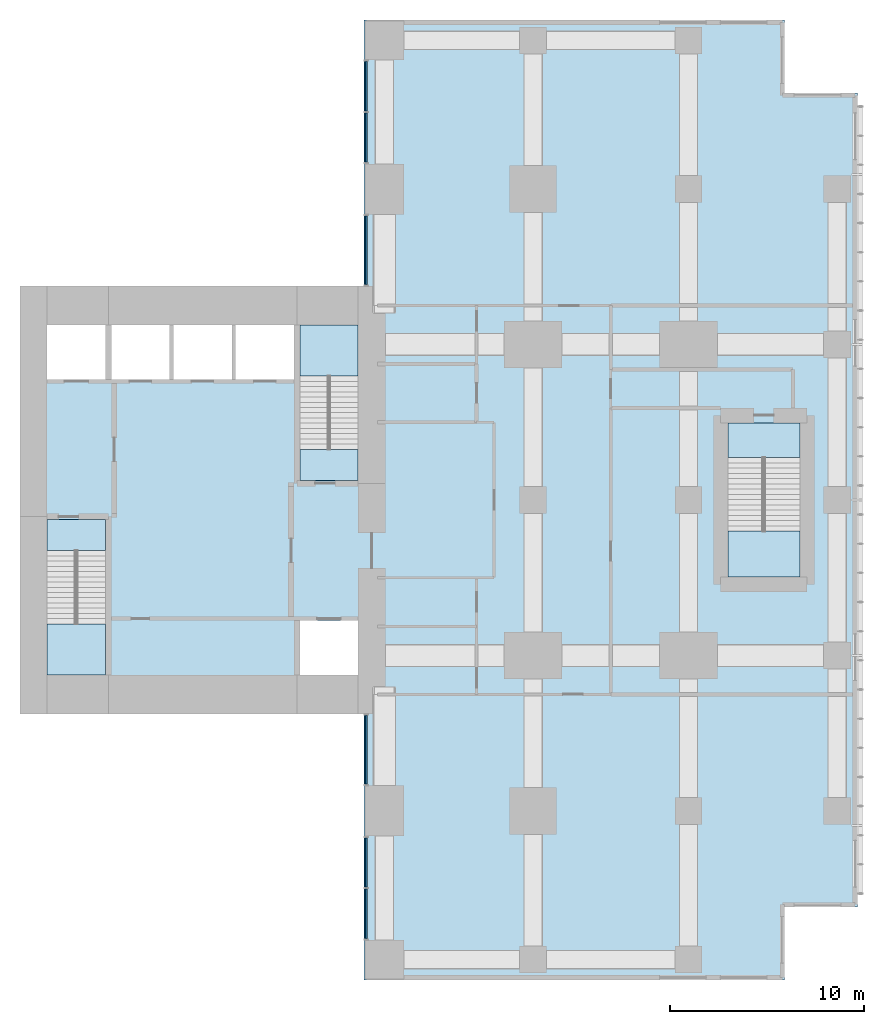
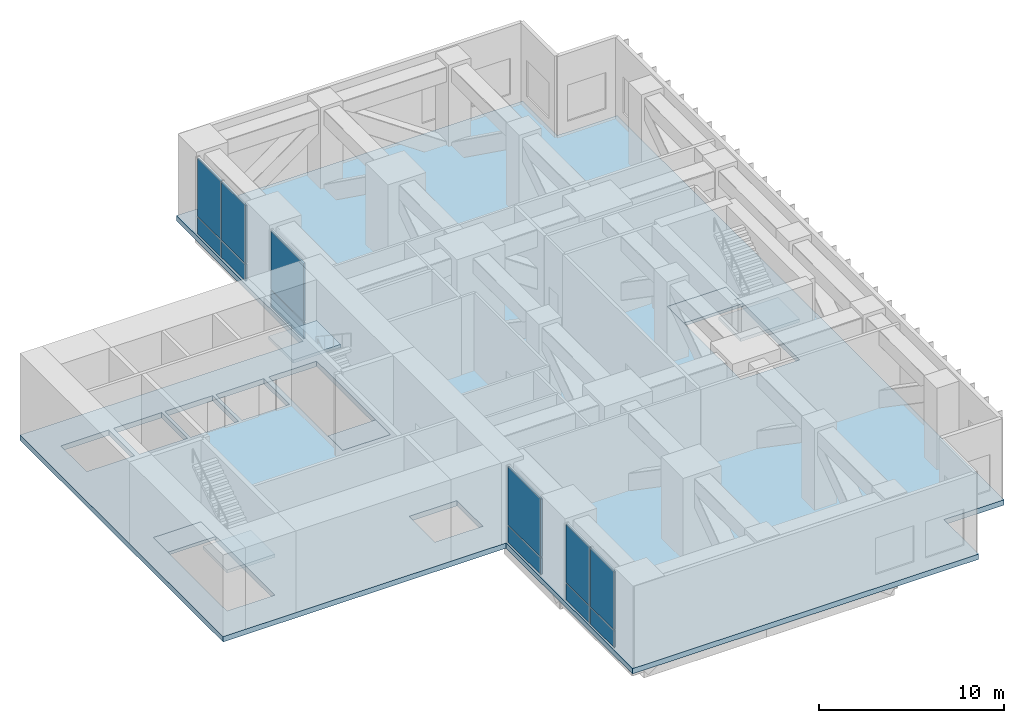
# One storey, part 4 of 10: 12 plates, 7 slabs, 7 elements without a shape of their own.
"""IFC4 building model written with IfcOpenShell, lengths in metres."""

import ifcopenshell
import ifcopenshell.guid

model = None  # the IFC model being written
_history = None  # IfcOwnerHistory: only IFC2X3 demands one
_inside = {}  # id of a spatial element -> (the spatial element, [elements in it])
_under = {}  # id of a project, library or spatial element -> (it, [spatial elements below it])
_declared = {}  # id of a project -> (the project, [libraries it declares])
_typed = {}  # id of a type object -> (the type object, [elements of that type])
_made_of = {}  # id of a material, layer set ... -> (it, [elements and type objects made of it])


def new_model(schema):
    """Start an empty IFC model of exactly this schema.

    Asked for "IFC4X3", IfcOpenShell would pick the latest addendum, in which some entities
    have other attributes; the version numbers below select the first issue.
    IFC2X3 requires an IfcOwnerHistory on every rooted entity: one is made here for all.
    """
    global model, _history
    if schema == "IFC4X3":
        model = ifcopenshell.file(schema_version=(4, 3, 0, 0))
    else:
        model = ifcopenshell.file(schema=schema)
    _inside.clear()
    _under.clear()
    _declared.clear()
    _typed.clear()
    _made_of.clear()
    _history = None
    if model.schema == "IFC2X3":
        org = make("IfcOrganization", Name="unknown")
        user = make(
            "IfcPersonAndOrganization",
            ThePerson=make("IfcPerson", FamilyName="unknown"),
            TheOrganization=org,
        )
        app = make(
            "IfcApplication",
            ApplicationDeveloper=org,
            Version="unknown",
            ApplicationFullName="unknown",
            ApplicationIdentifier="unknown",
        )
        _history = make(
            "IfcOwnerHistory",
            OwningUser=user,
            OwningApplication=app,
            ChangeAction="ADDED",
            CreationDate=0,
        )
    return model


def make(cls, **values):
    """One entity of the class cls with the attributes given. An attribute that is None is left unset."""
    return model.create_entity(
        cls, **{name: value for name, value in values.items() if value is not None}
    )


def rooted(cls, **values):
    """An entity with a GlobalId (a new one), such as an element, a storey or a relation."""
    return make(cls, GlobalId=ifcopenshell.guid.new(), OwnerHistory=_history, **values)


def si_unit(unit_type, name, prefix=None):
    """IfcSIUnit, for example si_unit("LENGTHUNIT", "METRE", prefix="MILLI")."""
    return make("IfcSIUnit", UnitType=unit_type, Prefix=prefix, Name=name)


def assignment(units):
    """IfcUnitAssignment: the units of a project."""
    return None if units is None else make("IfcUnitAssignment", Units=units)


def point(xyz):
    """IfcCartesianPoint."""
    return None if xyz is None else make("IfcCartesianPoint", Coordinates=xyz)


def direction(xyz):
    """IfcDirection."""
    return None if xyz is None else make("IfcDirection", DirectionRatios=xyz)


def frame(location, z_axis=None, x_axis=None):
    """IfcAxis2Placement3D, a coordinate frame: its origin and axes. An axis left out is left unset."""
    return make(
        "IfcAxis2Placement3D",
        Location=point(location),
        Axis=direction(z_axis),
        RefDirection=direction(x_axis),
    )


def frame_2d(location, x_axis=None):
    """IfcAxis2Placement2D, a coordinate frame in the plane: its origin and x axis."""
    return make(
        "IfcAxis2Placement2D", Location=point(location), RefDirection=direction(x_axis)
    )


def origin():
    """The frame at (0, 0, 0) with its axes left unset."""
    return frame((0.0, 0.0, 0.0))


def origin_2d():
    """The frame at (0, 0) in the plane with its x axis left unset."""
    return frame_2d((0.0, 0.0))


def place(relative_to, where):
    """IfcLocalPlacement: puts the frame where relative to a parent placement (None: the world)."""
    return make(
        "IfcLocalPlacement", PlacementRelTo=relative_to, RelativePlacement=where
    )


def context(
    kind, dimensions, precision=None, world=None, true_north=None, identifier=None
):
    """IfcGeometricRepresentationContext, for example the 3D "Model" context."""
    return make(
        "IfcGeometricRepresentationContext",
        ContextIdentifier=identifier,
        ContextType=kind,
        CoordinateSpaceDimension=dimensions,
        Precision=precision,
        WorldCoordinateSystem=world,
        TrueNorth=true_north,
    )


def subcontext(parent, identifier, kind, view, scale=None):
    """IfcGeometricRepresentationSubContext, for example "Body" below "Model"."""
    return make(
        "IfcGeometricRepresentationSubContext",
        ContextIdentifier=identifier,
        ContextType=kind,
        ParentContext=parent,
        TargetScale=scale,
        TargetView=view,
    )


def project(units=None, contexts=None):
    """IfcProject with its units and contexts."""
    return rooted(
        "IfcProject",
        Name="project",
        RepresentationContexts=contexts,
        UnitsInContext=assignment(units),
    )


def spatial(cls, under=None, at=None, **own):
    """A site, building, storey or space (cls), placed at a placement, below another one or the project."""
    s = rooted(cls, ObjectPlacement=at, **own)
    if under is not None:
        _under.setdefault(under.id(), (under, []))[1].append(s)
    return s


def polyline(points):
    """IfcPolyline through the points."""
    return make("IfcPolyline", Points=[point(p) for p in points])


def profile(cls, at=None, kind="AREA", **sizes):
    """A parametric profile (cls). Its sizes go by their IFC names, for example OverallWidth=200.0."""
    return make(cls, ProfileType=kind, Position=at, **sizes)


def rectangle(**sizes):
    """IfcRectangleProfileDef."""
    return profile("IfcRectangleProfileDef", **sizes)


def outline(outer, holes=None, kind="AREA"):
    """IfcArbitraryClosedProfileDef: a profile drawn as a closed curve; with holes, ...WithVoids."""
    if holes is None:
        return make("IfcArbitraryClosedProfileDef", ProfileType=kind, OuterCurve=outer)
    return make(
        "IfcArbitraryProfileDefWithVoids",
        ProfileType=kind,
        OuterCurve=outer,
        InnerCurves=holes,
    )


def extrude(swept, where, along, depth):
    """IfcExtrudedAreaSolid: the profile swept, set in the frame where, extruded along a direction by depth."""
    return make(
        "IfcExtrudedAreaSolid",
        SweptArea=swept,
        Position=where,
        ExtrudedDirection=direction(along),
        Depth=depth,
    )


def shape(context_of_items, identifier, shape_type, items):
    """IfcShapeRepresentation: the items that make up one representation, for example the "Body"."""
    return make(
        "IfcShapeRepresentation",
        ContextOfItems=context_of_items,
        RepresentationIdentifier=identifier,
        RepresentationType=shape_type,
        Items=items,
    )


def material(Name=None, Category=None):
    """IfcMaterial."""
    return make("IfcMaterial", Name=Name, Category=Category)


def layer(
    of_material, thickness, ventilated=None, Name=None, Category=None, Priority=None
):
    """IfcMaterialLayer: one layer of a wall or slab, of a material (None: an air gap)."""
    return make(
        "IfcMaterialLayer",
        Material=of_material,
        LayerThickness=thickness,
        IsVentilated=ventilated,
        Name=Name,
        Category=Category,
        Priority=Priority,
    )


def layer_set(layers, Name=None):
    """IfcMaterialLayerSet."""
    return make("IfcMaterialLayerSet", MaterialLayers=layers, LayerSetName=Name)


def made_of(thing, what):
    """Note that an element or type object is made of a material, layer set ...; save() writes the relation."""
    if what is not None:
        _made_of.setdefault(what.id(), (what, []))[1].append(thing)
    return thing


def type_object(cls, material=None, **own):
    """A type object (cls), such as IfcWallType, which elements share."""
    return made_of(rooted(cls, **own), material)


def element(
    cls,
    number,
    at=None,
    inside=None,
    cuts=None,
    type_object=None,
    material=None,
    context=None,
    identifier="Body",
    shape_type=None,
    held_by="IfcProductDefinitionShape",
    body=None,
    shapes=None,
    **own,
):
    """One element of the class cls, such as IfcWall. Its Tag is "e" and its number.

    at: its placement. inside: the storey or other place that contains it. cuts: it is an
    opening in that element (IfcRelVoidsElement). A single representation is given by context,
    identifier, shape_type and body (its items); several are given by shapes. held_by: the class
    of the entity that holds the representations. save() writes the other relations.
    """
    e = rooted(cls, Tag="e%d" % number, ObjectPlacement=at, **own)
    if body is not None:
        shapes = [shape(context, identifier, shape_type, body)]
    if shapes is not None:
        e.Representation = make(held_by, Representations=shapes)
    if inside is not None:
        _inside.setdefault(inside.id(), (inside, []))[1].append(e)
    if cuts is not None:
        rooted(
            "IfcRelVoidsElement", RelatingBuildingElement=cuts, RelatedOpeningElement=e
        )
    if type_object is not None:
        _typed.setdefault(type_object.id(), (type_object, []))[1].append(e)
    return made_of(e, material)


def aggregate(whole, parts):
    """IfcRelAggregates: a whole, such as a stair, and the parts it consists of."""
    return rooted("IfcRelAggregates", RelatingObject=whole, RelatedObjects=parts)


def save(model, path):
    """Write the relations noted so far, then the file.

    IfcRelAggregates (storeys below a building ...), IfcRelContainedInSpatialStructure (elements
    in a storey), IfcRelDefinesByType, IfcRelAssociatesMaterial and IfcRelDeclares: one each for
    every whole, place, type object, material and project.
    """
    for whole, parts in _under.values():
        aggregate(whole, parts)
    for where, things in _inside.values():
        rooted(
            "IfcRelContainedInSpatialStructure",
            RelatedElements=things,
            RelatingStructure=where,
        )
    for kind, things in _typed.values():
        rooted("IfcRelDefinesByType", RelatedObjects=things, RelatingType=kind)
    for what, things in _made_of.values():
        rooted("IfcRelAssociatesMaterial", RelatedObjects=things, RelatingMaterial=what)
    for by, libraries in _declared.values():
        rooted("IfcRelDeclares", RelatingContext=by, RelatedDefinitions=libraries)
    model.write(path)


model = new_model("IFC4")

# Units and contexts
model_context = context("Model", 3, precision=1e-05, world=origin(), true_north=direction((0.0, 1.0)))
body_context = subcontext(model_context, "Body", "Model", "MODEL_VIEW")
ifc_project = project(units=[si_unit("LENGTHUNIT", "METRE"), si_unit("AREAUNIT", "SQUARE_METRE"), si_unit("VOLUMEUNIT", "CUBIC_METRE"), si_unit("PLANEANGLEUNIT", "RADIAN"), si_unit("MASSUNIT", "GRAM", prefix="KILO")], contexts=[model_context])

# Site, building, storey
site_placement = place(None, origin())
site = spatial("IfcSite", under=ifc_project, at=site_placement, CompositionType="ELEMENT")
building_placement = place(site_placement, origin())
building = spatial("IfcBuilding", under=site, at=building_placement, Name="Cleftline Residences", CompositionType="ELEMENT")
storey_placement = place(building_placement, frame((0.0, 0.0, 277.199951171875)))
storey = spatial("IfcBuildingStorey", under=building, at=storey_placement, Name="L73", CompositionType="ELEMENT", Elevation=277.199951171875)

# Curtain wall, plates
ifc_material_1 = material(Name="Aluminium framed louvre screen", Category="aluminium")
ifc_layer_1 = layer(ifc_material_1, 0.25)
ifc_layer_set_1 = layer_set([ifc_layer_1], Name="CW6 REFUGE LOUVRE SCREEN")
curtain_wall_type = type_object("IfcCurtainWallType", Name="CW6 REFUGE LOUVRE SCREEN", PredefinedType="NOTDEFINED", material=ifc_layer_set_1)
curtain_wall_1_placement = place(storey_placement, origin())
curtain_wall_1 = element("IfcCurtainWall", 1, at=curtain_wall_1_placement, inside=storey, type_object=curtain_wall_type, Name="Louvre screen CW6", PredefinedType="NOTDEFINED")
ifc_material_2 = material(Name="Extruded aluminium louvre blades", Category="aluminium")
ifc_layer_2 = layer(ifc_material_2, 0.10009765625)
ifc_layer_set_2 = layer_set([ifc_layer_2], Name="CW6 LOUVRE BLADE PANEL")
plate_type = type_object("IfcPlateType", Name="CW6 LOUVRE BLADE PANEL", PredefinedType="USERDEFINED", material=ifc_layer_set_2)
plate_1_placement = place(storey_placement, frame((41.425048828125, 11.14990234375, 0.080078125), z_axis=(0.0, 0.0, 1.0), x_axis=(0.0, -1.0, 0.0)))
plate_1 = element("IfcPlate", 2, at=plate_1_placement, type_object=plate_type, Name="CW6 louvre panel 1.1", ObjectType="LOUVRE", PredefinedType="USERDEFINED", context=body_context, shape_type="SweptSolid", body=[
    extrude(rectangle(XDim=3.5400390625, YDim=0.10009765625, at=origin_2d()), origin(), (0.0, 0.0, 1.0), 1.080078125),
])
plate_2_placement = place(storey_placement, frame((41.425048828125, 11.14990234375, 1.239990234375), z_axis=(0.0, 0.0, 1.0), x_axis=(0.0, -1.0, 0.0)))
plate_2 = element("IfcPlate", 3, at=plate_2_placement, type_object=plate_type, Name="CW6 louvre panel 1.2", ObjectType="LOUVRE", PredefinedType="USERDEFINED", context=body_context, shape_type="SweptSolid", body=[
    extrude(rectangle(XDim=3.5400390625, YDim=0.10009765625, at=origin_2d()), origin(), (0.0, 0.0, 1.0), 3.830078125),
])
aggregate(curtain_wall_1, [plate_1, plate_2])

curtain_wall_2_placement = place(storey_placement, origin())
curtain_wall_2 = element("IfcCurtainWall", 4, at=curtain_wall_2_placement, inside=storey, type_object=curtain_wall_type, Name="Louvre screen CW6", PredefinedType="NOTDEFINED")
plate_3_placement = place(storey_placement, frame((41.425048828125, 5.342529296875, 0.080078125), z_axis=(0.0, 0.0, 1.0), x_axis=(0.0, -1.0, 0.0)))
plate_3 = element("IfcPlate", 5, at=plate_3_placement, type_object=plate_type, Name="CW6 louvre panel 1.1", ObjectType="LOUVRE", PredefinedType="USERDEFINED", context=body_context, shape_type="SweptSolid", body=[
    extrude(rectangle(XDim=2.554931640625, YDim=0.10009765625, at=origin_2d()), origin(), (0.0, 0.0, 1.0), 1.080078125),
])
plate_4_placement = place(storey_placement, frame((41.425048828125, 5.342529296875, 1.239990234375), z_axis=(0.0, 0.0, 1.0), x_axis=(0.0, -1.0, 0.0)))
plate_4 = element("IfcPlate", 6, at=plate_4_placement, type_object=plate_type, Name="CW6 louvre panel 1.2", ObjectType="LOUVRE", PredefinedType="USERDEFINED", context=body_context, shape_type="SweptSolid", body=[
    extrude(rectangle(XDim=2.554931640625, YDim=0.10009765625, at=origin_2d()), origin(), (0.0, 0.0, 1.0), 3.830078125),
])
plate_5_placement = place(storey_placement, frame((41.425048828125, 2.70751953125, 0.080078125), z_axis=(0.0, 0.0, 1.0), x_axis=(0.0, -1.0, 0.0)))
plate_5 = element("IfcPlate", 7, at=plate_5_placement, type_object=plate_type, Name="CW6 louvre panel 2.1", ObjectType="LOUVRE", PredefinedType="USERDEFINED", context=body_context, shape_type="SweptSolid", body=[
    extrude(rectangle(XDim=2.554931640625, YDim=0.10009765625, at=origin_2d()), origin(), (0.0, 0.0, 1.0), 1.080078125),
])
plate_6_placement = place(storey_placement, frame((41.425048828125, 2.70751953125, 1.239990234375), z_axis=(0.0, 0.0, 1.0), x_axis=(0.0, -1.0, 0.0)))
plate_6 = element("IfcPlate", 8, at=plate_6_placement, type_object=plate_type, Name="CW6 louvre panel 2.2", ObjectType="LOUVRE", PredefinedType="USERDEFINED", context=body_context, shape_type="SweptSolid", body=[
    extrude(rectangle(XDim=2.554931640625, YDim=0.10009765625, at=origin_2d()), origin(), (0.0, 0.0, 1.0), 3.830078125),
])
aggregate(curtain_wall_2, [plate_3, plate_4, plate_5, plate_6])

curtain_wall_3_placement = place(storey_placement, origin())
curtain_wall_3 = element("IfcCurtainWall", 9, at=curtain_wall_3_placement, inside=storey, type_object=curtain_wall_type, Name="Louvre screen CW6", PredefinedType="NOTDEFINED")
plate_7_placement = place(storey_placement, frame((41.425048828125, 45.29248046875, 0.080078125), z_axis=(0.0, 0.0, 1.0), x_axis=(0.0, -1.0, 0.0)))
plate_7 = element("IfcPlate", 10, at=plate_7_placement, type_object=plate_type, Name="CW6 louvre panel 1.1", ObjectType="LOUVRE", PredefinedType="USERDEFINED", context=body_context, shape_type="SweptSolid", body=[
    extrude(rectangle(XDim=2.554931640625, YDim=0.10009765625, at=origin_2d()), origin(), (0.0, 0.0, 1.0), 1.080078125),
])
plate_8_placement = place(storey_placement, frame((41.425048828125, 45.29248046875, 1.239990234375), z_axis=(0.0, 0.0, 1.0), x_axis=(0.0, -1.0, 0.0)))
plate_8 = element("IfcPlate", 11, at=plate_8_placement, type_object=plate_type, Name="CW6 louvre panel 1.2", ObjectType="LOUVRE", PredefinedType="USERDEFINED", context=body_context, shape_type="SweptSolid", body=[
    extrude(rectangle(XDim=2.554931640625, YDim=0.10009765625, at=origin_2d()), origin(), (0.0, 0.0, 1.0), 3.830078125),
])
plate_9_placement = place(storey_placement, frame((41.425048828125, 42.657470703125, 0.080078125), z_axis=(0.0, 0.0, 1.0), x_axis=(0.0, -1.0, 0.0)))
plate_9 = element("IfcPlate", 12, at=plate_9_placement, type_object=plate_type, Name="CW6 louvre panel 2.1", ObjectType="LOUVRE", PredefinedType="USERDEFINED", context=body_context, shape_type="SweptSolid", body=[
    extrude(rectangle(XDim=2.554931640625, YDim=0.10009765625, at=origin_2d()), origin(), (0.0, 0.0, 1.0), 1.080078125),
])
plate_10_placement = place(storey_placement, frame((41.425048828125, 42.657470703125, 1.239990234375), z_axis=(0.0, 0.0, 1.0), x_axis=(0.0, -1.0, 0.0)))
plate_10 = element("IfcPlate", 13, at=plate_10_placement, type_object=plate_type, Name="CW6 louvre panel 2.2", ObjectType="LOUVRE", PredefinedType="USERDEFINED", context=body_context, shape_type="SweptSolid", body=[
    extrude(rectangle(XDim=2.554931640625, YDim=0.10009765625, at=origin_2d()), origin(), (0.0, 0.0, 1.0), 3.830078125),
])
aggregate(curtain_wall_3, [plate_7, plate_8, plate_9, plate_10])

curtain_wall_4_placement = place(storey_placement, origin())
curtain_wall_4 = element("IfcCurtainWall", 14, at=curtain_wall_4_placement, inside=storey, type_object=curtain_wall_type, Name="Louvre screen CW6", PredefinedType="NOTDEFINED")
plate_11_placement = place(storey_placement, frame((41.425048828125, 36.85009765625, 0.080078125), z_axis=(0.0, 0.0, 1.0), x_axis=(0.0, -1.0, 0.0)))
plate_11 = element("IfcPlate", 15, at=plate_11_placement, type_object=plate_type, Name="CW6 louvre panel 1.1", ObjectType="LOUVRE", PredefinedType="USERDEFINED", context=body_context, shape_type="SweptSolid", body=[
    extrude(rectangle(XDim=3.5400390625, YDim=0.10009765625, at=origin_2d()), origin(), (0.0, 0.0, 1.0), 1.080078125),
])
plate_12_placement = place(storey_placement, frame((41.425048828125, 36.85009765625, 1.239990234375), z_axis=(0.0, 0.0, 1.0), x_axis=(0.0, -1.0, 0.0)))
plate_12 = element("IfcPlate", 16, at=plate_12_placement, type_object=plate_type, Name="CW6 louvre panel 1.2", ObjectType="LOUVRE", PredefinedType="USERDEFINED", context=body_context, shape_type="SweptSolid", body=[
    extrude(rectangle(XDim=3.5400390625, YDim=0.10009765625, at=origin_2d()), origin(), (0.0, 0.0, 1.0), 3.830078125),
])
aggregate(curtain_wall_4, [plate_11, plate_12])

# Slab
ifc_material_3 = material(Name="Concrete B45", Category="concrete")
ifc_layer_3 = layer(ifc_material_3, 0.35009765625)
ifc_layer_set_3 = layer_set([ifc_layer_3], Name="FLOOR SLAB 350")
slab_type_1 = type_object("IfcSlabType", Name="FLOOR SLAB 350", PredefinedType="FLOOR", material=ifc_layer_set_3)
slab_1_placement = place(storey_placement, frame((0.0, 0.0, -0.349853515625)))
element("IfcSlab", 17, at=slab_1_placement, inside=storey, type_object=slab_type_1, Name="Floor slab L73", PredefinedType="FLOOR", context=body_context, shape_type="SweptSolid", body=[
    extrude(outline(polyline([(41.300048828125, 13.0), (41.300048828125, -0.699951171875), (62.949951171875, -0.699951171875), (62.949951171875, 3.050048828125), (66.699951171875, 3.050048828125), (66.699951171875, 44.949951171875), (62.949951171875, 44.949951171875), (62.949951171875, 48.699951171875), (41.300048828125, 48.699951171875), (41.300048828125, 35.0), (23.60009765625, 35.0), (23.60009765625, 13.0), (41.300048828125, 13.0)]), holes=[polyline([(28.0, 15.0), (28.0, 23.0), (25.0, 23.0), (25.0, 15.0), (28.0, 15.0)]), polyline([(41.0, 25.0), (41.0, 33.0), (38.0, 33.0), (38.0, 25.0), (41.0, 25.0)]), polyline([(28.0, 30.199951171875), (28.0, 33.0), (25.0, 33.0), (25.0, 30.199951171875), (28.0, 30.199951171875)]), polyline([(41.0, 15.0), (41.0, 17.800048828125), (38.0, 17.800048828125), (38.0, 15.0), (41.0, 15.0)]), polyline([(31.300048828125, 30.199951171875), (31.300048828125, 33.0), (28.300048828125, 33.0), (28.300048828125, 30.199951171875), (31.300048828125, 30.199951171875)]), polyline([(34.5, 30.199951171875), (34.5, 33.0), (31.5, 33.0), (31.5, 30.199951171875), (34.5, 30.199951171875)]), polyline([(37.699951171875, 30.199951171875), (37.699951171875, 33.0), (34.699951171875, 33.0), (34.699951171875, 30.199951171875), (37.699951171875, 30.199951171875)]), polyline([(63.72509765625, 20.02490234375), (63.72509765625, 27.97509765625), (60.02490234375, 27.97509765625), (60.02490234375, 20.02490234375), (63.72509765625, 20.02490234375)])]), origin(), (0.0, 0.0, 1.0), 0.349853515625),
])

# Stair, slabs
ifc_material_4 = material(Name="Concrete B45, stone treads", Category="masonry")
stair_type_1 = type_object("IfcStairType", Name="STAIR A 1450 WIDE 180 RISER", PredefinedType="HALF_TURN_STAIR", material=ifc_material_4)
stair_1_placement = place(storey_placement, origin())
stair_1 = element("IfcStair", 18, at=stair_1_placement, inside=storey, type_object=stair_type_1, Name="Stair A L73", PredefinedType="HALF_TURN_STAIR")
ifc_material_5 = material(Name="Concrete B45", Category="concrete")
ifc_layer_4 = layer(ifc_material_5, 0.199951171875)
ifc_layer_set_4 = layer_set([ifc_layer_4], Name="STAIR LANDING 200")
slab_type_2 = type_object("IfcSlabType", Name="STAIR LANDING 200", PredefinedType="LANDING", material=ifc_layer_set_4)
slab_2_placement = place(storey_placement, frame((0.0, 0.0, -0.199951171875)))
slab_2 = element("IfcSlab", 19, at=slab_2_placement, type_object=slab_type_2, Name="ST-A landing 1", PredefinedType="LANDING", context=body_context, shape_type="SweptSolid", body=[
    extrude(outline(polyline([(25.0, 21.39990234375), (28.0, 21.39990234375), (28.0, 23.0), (25.0, 23.0), (25.0, 21.39990234375)])), origin(), (0.0, 0.0, 1.0), 0.199951171875),
])
slab_3_placement = place(storey_placement, frame((0.0, 0.0, 2.5)))
slab_3 = element("IfcSlab", 20, at=slab_3_placement, type_object=slab_type_2, Name="ST-A landing 2", PredefinedType="LANDING", context=body_context, shape_type="SweptSolid", body=[
    extrude(outline(polyline([(25.0, 15.0), (28.0, 15.0), (28.0, 17.6201171875), (25.0, 17.6201171875), (25.0, 15.0)])), origin(), (0.0, 0.0, 1.0), 0.199951171875),
])
aggregate(stair_1, [slab_2, slab_3])

ifc_material_6 = material(Name="Concrete B45, stone treads", Category="masonry")
stair_type_2 = type_object("IfcStairType", Name="STAIR B 1450 WIDE 180 RISER", PredefinedType="HALF_TURN_STAIR", material=ifc_material_6)
stair_2_placement = place(storey_placement, origin())
stair_2 = element("IfcStair", 21, at=stair_2_placement, inside=storey, type_object=stair_type_2, Name="Stair B L73", PredefinedType="HALF_TURN_STAIR")
slab_4_placement = place(storey_placement, frame((0.0, 0.0, -0.199951171875)))
slab_4 = element("IfcSlab", 22, at=slab_4_placement, type_object=slab_type_2, Name="ST-B landing 1", PredefinedType="LANDING", context=body_context, shape_type="SweptSolid", body=[
    extrude(outline(polyline([(38.0, 25.0), (41.0, 25.0), (41.0, 26.60009765625), (38.0, 26.60009765625), (38.0, 25.0)])), origin(), (0.0, 0.0, 1.0), 0.199951171875),
])
slab_5_placement = place(storey_placement, frame((0.0, 0.0, 2.5)))
slab_5 = element("IfcSlab", 23, at=slab_5_placement, type_object=slab_type_2, Name="ST-B landing 2", PredefinedType="LANDING", context=body_context, shape_type="SweptSolid", body=[
    extrude(outline(polyline([(38.0, 30.3798828125), (41.0, 30.3798828125), (41.0, 33.0), (38.0, 33.0), (38.0, 30.3798828125)])), origin(), (0.0, 0.0, 1.0), 0.199951171875),
])
aggregate(stair_2, [slab_4, slab_5])

ifc_material_7 = material(Name="Concrete B45, stone treads", Category="masonry")
stair_type_3 = type_object("IfcStairType", Name="STAIR E 1800 WIDE 180 RISER", PredefinedType="HALF_TURN_STAIR", material=ifc_material_7)
stair_3_placement = place(storey_placement, origin())
stair_3 = element("IfcStair", 24, at=stair_3_placement, inside=storey, type_object=stair_type_3, Name="Stair E L73", PredefinedType="HALF_TURN_STAIR")
slab_6_placement = place(storey_placement, frame((0.0, 0.0, -0.199951171875)))
slab_6 = element("IfcSlab", 25, at=slab_6_placement, type_object=slab_type_2, Name="ST-E landing 1", PredefinedType="LANDING", context=body_context, shape_type="SweptSolid", body=[
    extrude(outline(polyline([(60.02490234375, 26.175048828125), (63.72509765625, 26.175048828125), (63.72509765625, 27.97509765625), (60.02490234375, 27.97509765625), (60.02490234375, 26.175048828125)])), origin(), (0.0, 0.0, 1.0), 0.199951171875),
])
slab_7_placement = place(storey_placement, frame((0.0, 0.0, 2.5)))
slab_7 = element("IfcSlab", 26, at=slab_7_placement, type_object=slab_type_2, Name="ST-E landing 2", PredefinedType="LANDING", context=body_context, shape_type="SweptSolid", body=[
    extrude(outline(polyline([(60.02490234375, 20.02490234375), (63.72509765625, 20.02490234375), (63.72509765625, 22.39501953125), (60.02490234375, 22.39501953125), (60.02490234375, 20.02490234375)])), origin(), (0.0, 0.0, 1.0), 0.199951171875),
])
aggregate(stair_3, [slab_6, slab_7])

save(model, "model.ifc")
